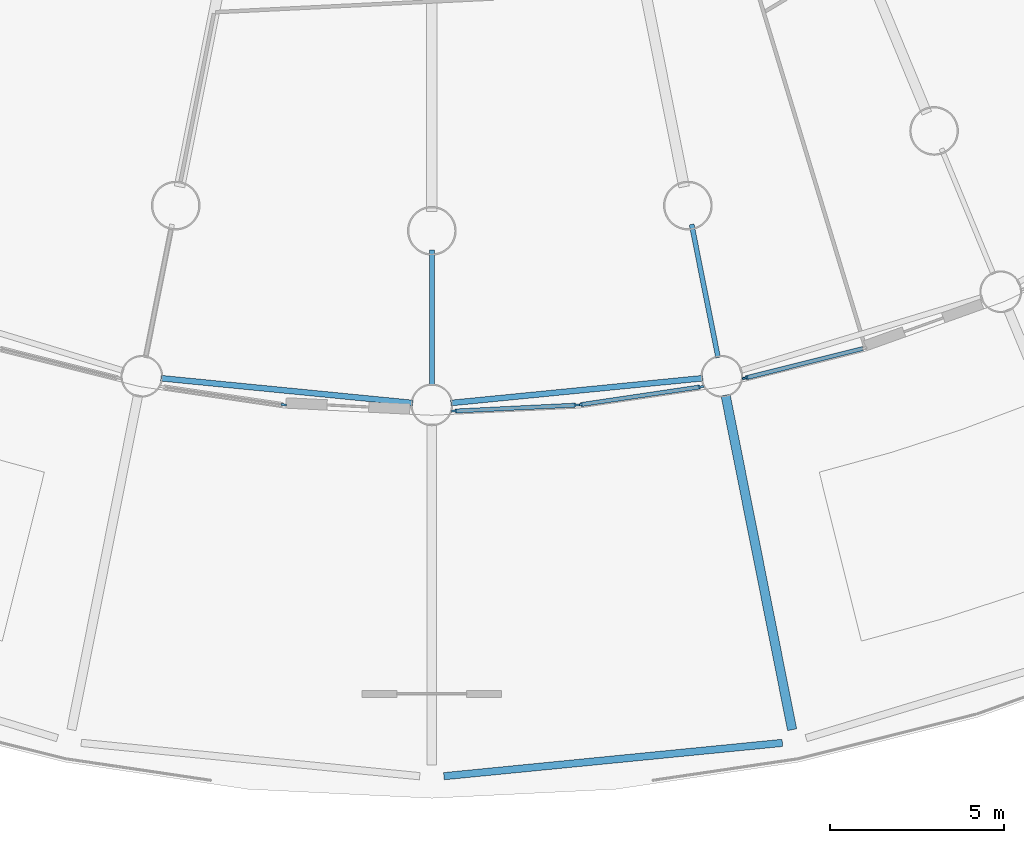
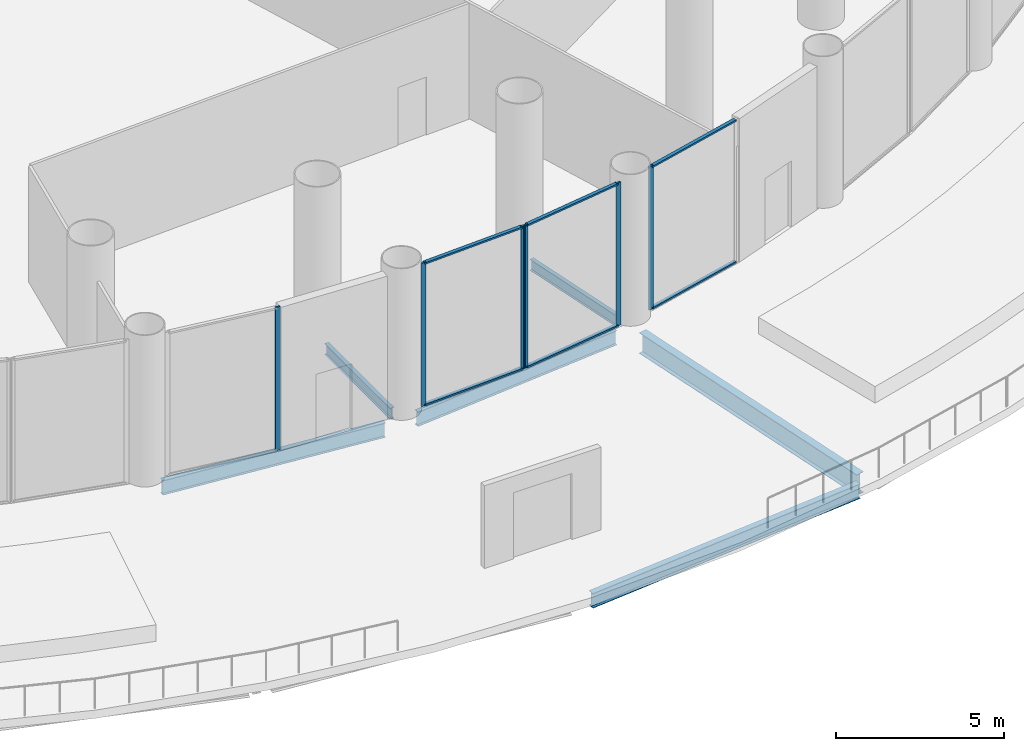
# One storey, part 4 of 36: 12 members, 6 beams, 4 elements without a shape of their own.
"""IFC4 building model written with IfcOpenShell, lengths in metres."""

from ifc_helpers import new_model, si_unit, direction, frame, origin, origin_2d, place, context, subcontext, project, spatial, rectangle, i_section, extrude, material, material_profile, profile_set, type_object, element, aggregate, save


model = new_model("IFC4")

# Units and contexts
model_context = context("Model", 3, precision=1e-05, world=origin(), true_north=direction((0.0, 1.0)))
body_context = subcontext(model_context, "Body", "Model", "MODEL_VIEW")
ifc_project = project(units=[si_unit("LENGTHUNIT", "METRE"), si_unit("AREAUNIT", "SQUARE_METRE"), si_unit("VOLUMEUNIT", "CUBIC_METRE"), si_unit("PLANEANGLEUNIT", "RADIAN"), si_unit("MASSUNIT", "GRAM", prefix="KILO")], contexts=[model_context])

# Site, building, storey
site_placement = place(None, origin())
site = spatial("IfcSite", under=ifc_project, at=site_placement, CompositionType="ELEMENT")
building_placement = place(site_placement, origin())
building = spatial("IfcBuilding", under=site, at=building_placement, Name="Corvane Civic Tower", CompositionType="ELEMENT")
storey_placement = place(building_placement, frame((0.0, 0.0, 6.0)))
storey = spatial("IfcBuildingStorey", under=building, at=storey_placement, Name="L01", CompositionType="ELEMENT", Elevation=6.0)

# Beams
ifc_material_1 = material(Name="Steel ASTM A992 Gr 50", Category="steel")
ifc_material_profile_1 = material_profile(ifc_material_1, i_section(OverallWidth=0.2666015625, OverallDepth=0.7568359375, WebThickness=0.013916015625, FlangeThickness=0.019287109375, at=origin_2d()), Name="W30X108")
ifc_profile_set_1 = profile_set([ifc_material_profile_1], Name="Steel ASTM A992 Gr 50")
beam_type_1 = type_object("IfcBeamType", Name="DECK BEAM W30X108", PredefinedType="BEAM", material=ifc_profile_set_1)
beam_1_placement = place(storey_placement, frame((8.437744140625, -42.4189453125, -0.678466796875), z_axis=(0.195086010826, -0.980786137942, 0.0), x_axis=(0.980786137942, 0.195086010826, 0.0)))
element("IfcBeam", 1, at=beam_1_placement, inside=storey, type_object=beam_type_1, Name="BM-L01-D16", PredefinedType="BEAM", context=body_context, shape_type="SweptSolid", body=[
    extrude(i_section(OverallWidth=0.2666015625, OverallDepth=0.7568359375, WebThickness=0.013916015625, FlangeThickness=0.019287109375, at=origin_2d()), origin(), (0.0, 0.0, 1.0), 9.800048828125),
])
ifc_material_2 = material(Name="Steel ASTM A992 Gr 50", Category="steel")
ifc_material_profile_2 = material_profile(ifc_material_2, i_section(OverallWidth=0.165771484375, OverallDepth=0.5283203125, WebThickness=0.009765625, FlangeThickness=0.013671875, at=origin_2d()), Name="W21X50")
ifc_profile_set_2 = profile_set([ifc_material_profile_2], Name="Steel ASTM A992 Gr 50")
beam_type_2 = type_object("IfcBeamType", Name="EDGE BEAM W21X50", PredefinedType="BEAM", material=ifc_profile_set_2)
for number, where, z_axis, x_axis, name in (
    (2, (7.782958984375, -41.93359375, -0.564208984375), (-0.995187967953, -0.097984225478, 0.0), (0.097984225478, -0.995187967953, 0.0), "BM-L01-E16"),
    (3, (-0.54736328125, -42.64599609375, -0.564208984375), (-0.995187967953, 0.097984225478, 0.0), (-0.097984225478, -0.995187967953, 0.0), "BM-L01-E17"),
):
    element("IfcBeam", number, at=place(storey_placement, frame(where, z_axis=z_axis, x_axis=x_axis)), inside=storey, type_object=beam_type_2, Name=name, PredefinedType="BEAM", context=body_context, shape_type="SweptSolid", body=[
        extrude(i_section(OverallWidth=0.165771484375, OverallDepth=0.5283203125, WebThickness=0.009765625, FlangeThickness=0.013671875, at=origin_2d()), origin(), (0.0, 0.0, 1.0), 7.2705078125),
    ])
ifc_material_3 = material(Name="Steel ASTM A992 Gr 50", Category="steel")
ifc_material_profile_3 = material_profile(ifc_material_3, i_section(OverallWidth=0.209228515625, OverallDepth=0.533447265625, WebThickness=0.01025390625, FlangeThickness=0.015625, at=origin_2d()), Name="W21X62")
ifc_profile_set_3 = profile_set([ifc_material_profile_3], Name="Steel ASTM A992 Gr 50")
beam_type_3 = type_object("IfcBeamType", Name="EDGE BEAM W21X62", PredefinedType="BEAM", material=ifc_profile_set_3)
beam_2_placement = place(storey_placement, frame((10.0693359375, -52.408203125, -0.566650390625), z_axis=(-0.995186267899, -0.098001490731, 0.0), x_axis=(0.098001490731, -0.995186267899, 0.0)))
element("IfcBeam", 4, at=beam_2_placement, inside=storey, type_object=beam_type_3, Name="BM-L01-H16", PredefinedType="BEAM", context=body_context, shape_type="SweptSolid", body=[
    extrude(i_section(OverallWidth=0.209228515625, OverallDepth=0.533447265625, WebThickness=0.01025390625, FlangeThickness=0.015625, at=origin_2d()), origin(), (0.0, 0.0, 1.0), 9.76806640625),
])
ifc_material_4 = material(Name="Steel ASTM A992 Gr 50", Category="steel")
ifc_material_profile_4 = material_profile(ifc_material_4, i_section(OverallWidth=0.140380859375, OverallDepth=0.40380859375, WebThickness=0.007080078125, FlangeThickness=0.01123046875, at=origin_2d()), Name="W16X31")
ifc_profile_set_4 = profile_set([ifc_material_profile_4], Name="Steel ASTM A992 Gr 50")
beam_type_4 = type_object("IfcBeamType", Name="FLOOR GIRDER W16X31", PredefinedType="BEAM", material=ifc_profile_set_4)
for number, where, z_axis, x_axis, name in (
    (5, (7.462158203125, -37.51513671875, -0.501953125), (0.195128858343, -0.980777614264, 0.0), (0.980777614264, 0.195128858343, 0.0), "BM-L01-G16b"),
    (6, (0.0, -38.25, -0.501953125), (0.0, -1.0, 0.0), (1.0, 0.0, 0.0), "BM-L01-G17b"),
):
    element("IfcBeam", number, at=place(storey_placement, frame(where, z_axis=z_axis, x_axis=x_axis)), inside=storey, type_object=beam_type_4, Name=name, PredefinedType="BEAM", context=body_context, shape_type="SweptSolid", body=[
        extrude(i_section(OverallWidth=0.140380859375, OverallDepth=0.40380859375, WebThickness=0.007080078125, FlangeThickness=0.01123046875, at=origin_2d()), origin(), (0.0, 0.0, 1.0), 3.89990234375),
    ])

# Curtain wall, member
ifc_material_5 = material(Name="Aluminium and glass", Category="aluminium")
curtain_wall_type = type_object("IfcCurtainWallType", Name="PODIUM-CW-P-RUN", PredefinedType="NOTDEFINED", material=ifc_material_5)
curtain_wall_1_placement = place(storey_placement, origin())
curtain_wall_1 = element("IfcCurtainWall", 7, at=curtain_wall_1_placement, inside=storey, type_object=curtain_wall_type, Name="PODI run L01-drum-15B", PredefinedType="NOTDEFINED")
ifc_material_6 = material(Name="Anodised aluminium bronze", Category="aluminium")
ifc_material_profile_5 = material_profile(ifc_material_6, rectangle(XDim=0.06005859375, YDim=0.159912109375, at=origin_2d()), Name="AL 60x160")
ifc_profile_set_5 = profile_set([ifc_material_profile_5], Name="Anodised aluminium bronze")
member_type_1 = type_object("IfcMemberType", Name="PODIUM-CWP-MULLION-60x160", PredefinedType="MULLION", material=ifc_profile_set_5)
member_1_placement = place(storey_placement, frame((8.99755859375, -41.9287109375, 0.0), z_axis=(0.0, 0.0, 1.0), x_axis=(0.243008852393, -0.970024070659, 0.0)))
member_1 = element("IfcMember", 8, at=member_1_placement, type_object=member_type_1, Name="CW-P mullion 2", PredefinedType="MULLION", context=body_context, shape_type="SweptSolid", body=[
    extrude(rectangle(XDim=0.06005859375, YDim=0.159912109375, at=origin_2d()), origin(), (0.0, 0.0, 1.0), 5.199951171875),
])

# Curtain wall, members
curtain_wall_2_placement = place(storey_placement, origin())
curtain_wall_2 = element("IfcCurtainWall", 9, at=curtain_wall_2_placement, inside=storey, type_object=curtain_wall_type, Name="PODI run L01-drum-16A", PredefinedType="NOTDEFINED")
member_2_placement = place(storey_placement, frame((7.732666015625, -42.18017578125, 0.0), z_axis=(0.0, 0.0, 1.0), x_axis=(0.146714694252, -0.989178850608, 0.0)))
member_2 = element("IfcMember", 10, at=member_2_placement, type_object=member_type_1, Name="CW-P mullion 1", PredefinedType="MULLION", context=body_context, shape_type="SweptSolid", body=[
    extrude(rectangle(XDim=0.06005859375, YDim=0.159912109375, at=origin_2d()), origin(), (0.0, 0.0, 1.0), 5.199951171875),
])
member_3_placement = place(storey_placement, frame((4.2509765625, -42.696533203125, 0.0), z_axis=(0.0, 0.0, 1.0), x_axis=(0.146714694252, -0.989178850608, 0.0)))
member_3 = element("IfcMember", 11, at=member_3_placement, type_object=member_type_1, Name="CW-P mullion 2", PredefinedType="MULLION", context=body_context, shape_type="SweptSolid", body=[
    extrude(rectangle(XDim=0.06005859375, YDim=0.159912109375, at=origin_2d()), origin(), (0.0, 0.0, 1.0), 5.199951171875),
])

curtain_wall_3_placement = place(storey_placement, origin())
curtain_wall_3 = element("IfcCurtainWall", 12, at=curtain_wall_3_placement, inside=storey, type_object=curtain_wall_type, Name="PODI run L01-drum-16B", PredefinedType="NOTDEFINED")
member_4_placement = place(storey_placement, frame((4.16064453125, -42.70556640625, 0.0), z_axis=(0.0, 0.0, 1.0), x_axis=(0.04905015332, -0.998796316803, 0.0)))
member_4 = element("IfcMember", 13, at=member_4_placement, type_object=member_type_1, Name="CW-P mullion 1", PredefinedType="MULLION", context=body_context, shape_type="SweptSolid", body=[
    extrude(rectangle(XDim=0.06005859375, YDim=0.159912109375, at=origin_2d()), origin(), (0.0, 0.0, 1.0), 5.199951171875),
])
member_5_placement = place(storey_placement, frame((0.644775390625, -42.878173828125, 0.0), z_axis=(0.0, 0.0, 1.0), x_axis=(0.04905015332, -0.998796316803, 0.0)))
member_5 = element("IfcMember", 14, at=member_5_placement, type_object=member_type_1, Name="CW-P mullion 2", PredefinedType="MULLION", context=body_context, shape_type="SweptSolid", body=[
    extrude(rectangle(XDim=0.06005859375, YDim=0.159912109375, at=origin_2d()), origin(), (0.0, 0.0, 1.0), 5.199951171875),
])

# Curtain wall, member
curtain_wall_4_placement = place(storey_placement, origin())
curtain_wall_4 = element("IfcCurtainWall", 15, at=curtain_wall_4_placement, inside=storey, type_object=curtain_wall_type, Name="PODI run L01-drum-17B", PredefinedType="NOTDEFINED")
member_6_placement = place(storey_placement, frame((-4.2509765625, -42.696533203125, 0.0), z_axis=(0.0, 0.0, 1.0), x_axis=(-0.146714694252, -0.989178850608, 0.0)))
member_6 = element("IfcMember", 16, at=member_6_placement, type_object=member_type_1, Name="CW-P mullion 1", PredefinedType="MULLION", context=body_context, shape_type="SweptSolid", body=[
    extrude(rectangle(XDim=0.06005859375, YDim=0.159912109375, at=origin_2d()), origin(), (0.0, 0.0, 1.0), 5.199951171875),
])
aggregate(curtain_wall_4, [member_6])

# Member
ifc_material_7 = material(Name="Anodised aluminium bronze", Category="aluminium")
ifc_material_profile_6 = material_profile(ifc_material_7, rectangle(XDim=0.1201171875, YDim=0.06005859375, at=origin_2d()), Name="AL 120x60")
ifc_profile_set_6 = profile_set([ifc_material_profile_6], Name="Anodised aluminium bronze")
member_type_2 = type_object("IfcMemberType", Name="PODIUM-CWP-TRANSOM-60x120", PredefinedType="USERDEFINED", material=ifc_profile_set_6)
member_7_placement = place(storey_placement, frame((12.3828125, -41.08056640625, 0.030029296875), z_axis=(-0.970022009425, -0.243017080124, 0.0), x_axis=(0.243017080124, -0.970022009425, 0.0)))
member_7 = element("IfcMember", 17, at=member_7_placement, type_object=member_type_2, Name="CW-P transom 1.1", ObjectType="TRANSOM", PredefinedType="USERDEFINED", context=body_context, shape_type="SweptSolid", body=[
    extrude(rectangle(XDim=0.1201171875, YDim=0.06005859375, at=origin_2d()), origin(), (0.0, 0.0, 1.0), 3.4599609375),
])

member_8_placement = place(storey_placement, frame((12.3828125, -41.08056640625, 5.169921875), z_axis=(-0.970022009425, -0.243017080124, 0.0), x_axis=(0.243017080124, -0.970022009425, 0.0)))
member_8 = element("IfcMember", 18, at=member_8_placement, type_object=member_type_2, Name="CW-P transom 1.2", ObjectType="TRANSOM", PredefinedType="USERDEFINED", context=body_context, shape_type="SweptSolid", body=[
    extrude(rectangle(XDim=0.1201171875, YDim=0.06005859375, at=origin_2d()), origin(), (0.0, 0.0, 1.0), 3.4599609375),
])

aggregate(curtain_wall_1, [member_1, member_7, member_8])

member_9_placement = place(storey_placement, frame((7.703125, -42.1845703125, 0.030029296875), z_axis=(-0.989180338828, -0.146704660039, 0.0), x_axis=(0.146704660039, -0.989180338828, 0.0)))
member_9 = element("IfcMember", 19, at=member_9_placement, type_object=member_type_2, Name="CW-P transom 1.1", ObjectType="TRANSOM", PredefinedType="USERDEFINED", context=body_context, shape_type="SweptSolid", body=[
    extrude(rectangle(XDim=0.1201171875, YDim=0.06005859375, at=origin_2d()), origin(), (0.0, 0.0, 1.0), 3.459716796875),
])

member_10_placement = place(storey_placement, frame((7.703125, -42.1845703125, 5.169921875), z_axis=(-0.989180338828, -0.146704660039, 0.0), x_axis=(0.146704660039, -0.989180338828, 0.0)))
member_10 = element("IfcMember", 20, at=member_10_placement, type_object=member_type_2, Name="CW-P transom 1.2", ObjectType="TRANSOM", PredefinedType="USERDEFINED", context=body_context, shape_type="SweptSolid", body=[
    extrude(rectangle(XDim=0.1201171875, YDim=0.06005859375, at=origin_2d()), origin(), (0.0, 0.0, 1.0), 3.459716796875),
])

aggregate(curtain_wall_2, [member_2, member_3, member_9, member_10])

member_11_placement = place(storey_placement, frame((4.130615234375, -42.70703125, 0.030029296875), z_axis=(-0.998796806423, -0.049040182301, 0.0), x_axis=(0.049040182301, -0.998796806423, 0.0)))
member_11 = element("IfcMember", 21, at=member_11_placement, type_object=member_type_2, Name="CW-P transom 1.1", ObjectType="TRANSOM", PredefinedType="USERDEFINED", context=body_context, shape_type="SweptSolid", body=[
    extrude(rectangle(XDim=0.1201171875, YDim=0.06005859375, at=origin_2d()), origin(), (0.0, 0.0, 1.0), 3.4599609375),
])

member_12_placement = place(storey_placement, frame((4.130615234375, -42.70703125, 5.169921875), z_axis=(-0.998796806423, -0.049040182301, 0.0), x_axis=(0.049040182301, -0.998796806423, 0.0)))
member_12 = element("IfcMember", 22, at=member_12_placement, type_object=member_type_2, Name="CW-P transom 1.2", ObjectType="TRANSOM", PredefinedType="USERDEFINED", context=body_context, shape_type="SweptSolid", body=[
    extrude(rectangle(XDim=0.1201171875, YDim=0.06005859375, at=origin_2d()), origin(), (0.0, 0.0, 1.0), 3.4599609375),
])

aggregate(curtain_wall_3, [member_4, member_5, member_11, member_12])

save(model, "model.ifc")
